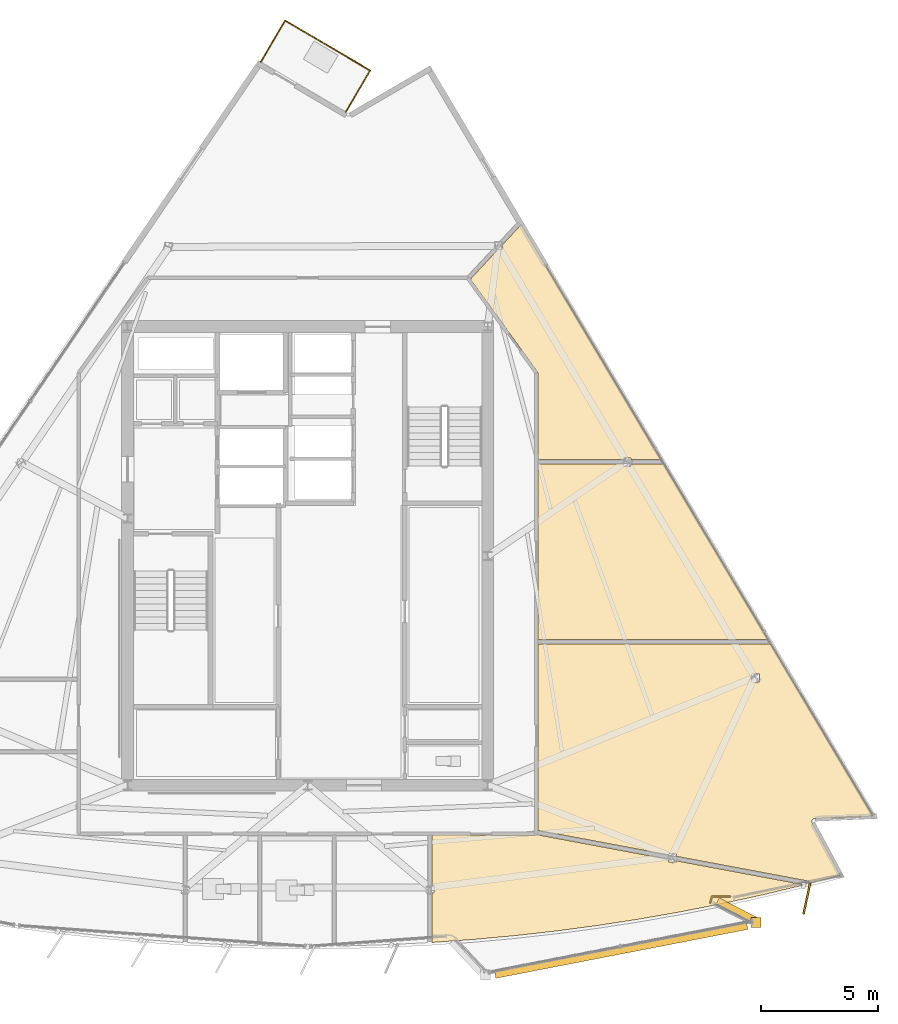
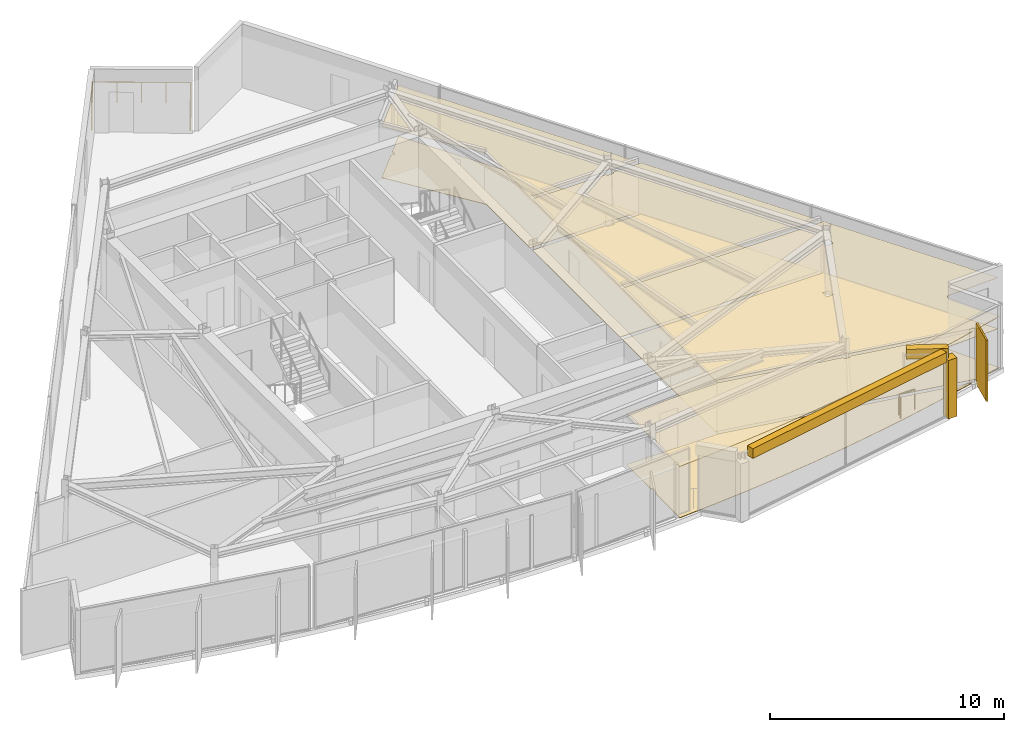
# One storey, part 12 of 13: 11 coverings, 4 railings, 1 shading device.
"""IFC4 building model written with IfcOpenShell, lengths in metres."""

from ifc_helpers import new_model, si_unit, direction, frame, origin, origin_2d, place, context, subcontext, project, spatial, polyline, rectangle, circle, outline, extrude, material, layer, layer_set, type_object, element, save


model = new_model("IFC4")

# Units and contexts
model_context = context("Model", 3, precision=1e-05, world=origin(), true_north=direction((0.0, 1.0)))
body_context = subcontext(model_context, "Body", "Model", "MODEL_VIEW")
ifc_project = project(units=[si_unit("LENGTHUNIT", "METRE"), si_unit("AREAUNIT", "SQUARE_METRE"), si_unit("VOLUMEUNIT", "CUBIC_METRE"), si_unit("PLANEANGLEUNIT", "RADIAN"), si_unit("MASSUNIT", "GRAM", prefix="KILO")], contexts=[model_context])

# Site, building, storey
site_placement = place(None, origin())
site = spatial("IfcSite", under=ifc_project, at=site_placement, CompositionType="ELEMENT")
building_placement = place(site_placement, origin())
building = spatial("IfcBuilding", under=site, at=building_placement, Name="Savorim Split Tower", CompositionType="ELEMENT")
storey_placement = place(building_placement, frame((0.0, 0.0, 265.199951171875)))
storey = spatial("IfcBuildingStorey", under=building, at=storey_placement, Name="L70", CompositionType="ELEMENT", Elevation=265.199951171875)

# Coverings
ifc_material_1 = material(Name="Mineral Fibre Acoustic Ceiling")
ifc_layer_1 = layer(ifc_material_1, 0.02490234375)
ifc_layer_set_1 = layer_set([ifc_layer_1], Name="COV-CEIL-25")
covering_type_1 = type_object("IfcCoveringType", Name="COV-CEIL-25", PredefinedType="CEILING", material=ifc_layer_set_1)
covering_1_placement = place(storey_placement, frame((0.0, 0.0, 2.670166015625)))
element("IfcCovering", 1, at=covering_1_placement, inside=storey, type_object=covering_type_1, Name="L70 Communal Lounge Acoustic Ceiling", PredefinedType="CEILING", context=body_context, shape_type="SweptSolid", body=[
    extrude(outline(polyline([(15.962646484375, -14.80908203125), (17.712890625, -14.464599609375), (19.45556640625, -14.084228515625), (21.18994140625, -13.668212890625), (21.22314453125, -13.65966796875), (15.759033203125, -12.634765625), (15.759033203125, -12.68212890625), (15.429931640625, -12.68212890625), (15.429931640625, -12.572998046875), (9.819580078125, -11.520751953125), (9.781494140625, -11.513427734375), (9.77783203125, -11.516357421875), (9.76611328125, -11.5234375), (9.753662109375, -11.529296875), (9.740478515625, -11.533935546875), (9.727294921875, -11.537353515625), (9.713623046875, -11.539306640625), (9.699951171875, -11.5400390625), (5.321533203125, -11.5400390625), (5.321533203125, -13.663330078125), (5.39111328125, -13.663330078125), (5.39111328125, -14.013427734375), (5.321533203125, -14.013427734375), (5.321533203125, -16.0751953125), (5.321533203125, -16.120361328125), (5.34765625, -16.118896484375), (7.126953125, -15.991455078125), (8.90283203125, -15.827392578125), (10.67529296875, -15.626953125), (12.443359375, -15.390380859375), (14.2060546875, -15.117919921875), (15.962646484375, -14.80908203125)])), origin(), (0.0, 0.0, 1.0), 0.02490234375),
])
covering_2_placement = place(storey_placement, frame((0.0, 0.0, 2.670166015625)))
element("IfcCovering", 2, at=covering_2_placement, inside=storey, type_object=covering_type_1, Name="L70 Co-Working Commons Acoustic Ceiling", PredefinedType="CEILING", context=body_context, shape_type="SweptSolid", body=[
    extrude(outline(polyline([(21.639404296875, -10.830810546875), (21.650634765625, -10.828857421875), (21.662109375, -10.82763671875), (24.16357421875, -10.72119140625), (19.790771484375, -3.367431640625), (9.840087890625, -3.367431640625), (9.840087890625, -11.331298828125), (15.429931640625, -12.379638671875), (15.429931640625, -12.332275390625), (15.759033203125, -12.332275390625), (15.759033203125, -12.44140625), (21.3408203125, -13.48828125), (21.43408203125, -13.505859375), (21.414794921875, -13.609619140625), (22.769287109375, -13.25537109375), (21.5615234375, -11.00439453125), (21.556640625, -10.993896484375), (21.552734375, -10.983154296875), (21.5498046875, -10.971923828125), (21.548095703125, -10.96044921875), (21.54736328125, -10.948974609375), (21.547607421875, -10.9375), (21.54931640625, -10.926025390625), (21.552001953125, -10.914794921875), (21.5556640625, -10.90380859375), (21.560302734375, -10.893310546875), (21.56591796875, -10.88330078125), (21.57275390625, -10.873779296875), (21.580078125, -10.864990234375), (21.58837890625, -10.857177734375), (21.59765625, -10.849853515625), (21.607421875, -10.84375), (21.61767578125, -10.83837890625), (21.62841796875, -10.833984375), (21.639404296875, -10.830810546875)]), holes=[polyline([(19.3154296875, -4.999267578125), (19.3154296875, -4.649169921875), (18.986572265625, -4.649169921875), (18.986572265625, -4.999267578125), (19.3154296875, -4.999267578125)])]), origin(), (0.0, 0.0, 1.0), 0.02490234375),
])
covering_3_placement = place(storey_placement, frame((0.0, 0.0, 2.670166015625)))
element("IfcCovering", 3, at=covering_3_placement, inside=storey, type_object=covering_type_1, Name="L70 Co-Working Commons Acoustic Ceiling", PredefinedType="CEILING", context=body_context, shape_type="SweptSolid", body=[
    extrude(outline(polyline([(13.4912109375, 4.242919921875), (13.4912109375, 4.32275390625), (9.840087890625, 4.32275390625), (9.840087890625, -3.177490234375), (19.677734375, -3.177490234375), (15.1982421875, 4.35595703125), (15.1982421875, 4.32275390625), (13.820068359375, 4.32275390625), (13.820068359375, 4.242919921875), (13.4912109375, 4.242919921875)])), origin(), (0.0, 0.0, 1.0), 0.02490234375),
])
covering_4_placement = place(storey_placement, frame((0.0, 0.0, 2.670166015625)))
element("IfcCovering", 4, at=covering_4_placement, inside=storey, type_object=covering_type_1, Name="L70 Quiet Study Room Acoustic Ceiling", PredefinedType="CEILING", context=body_context, shape_type="SweptSolid", body=[
    extrude(outline(polyline([(13.820068359375, 4.5927734375), (13.820068359375, 4.5126953125), (15.103271484375, 4.5126953125), (15.10498046875, 4.5126953125), (9.129638671875, 14.56201171875), (8.32470703125, 13.697265625), (8.32470703125, 13.48486328125), (8.126953125, 13.48486328125), (6.96533203125, 12.2373046875), (6.95458984375, 12.2255859375), (9.813232421875, 8.2822265625), (9.8212890625, 8.27001953125), (9.827880859375, 8.2568359375), (9.833251953125, 8.2431640625), (9.8369140625, 8.22900390625), (9.839111328125, 8.214599609375), (9.840087890625, 8.199951171875), (9.840087890625, 4.5126953125), (13.4912109375, 4.5126953125), (13.4912109375, 4.5927734375), (13.820068359375, 4.5927734375)])), origin(), (0.0, 0.0, 1.0), 0.02490234375),
])
ifc_material_2 = material(Name="Porcelain Stoneware Flooring", Category="masonry")
ifc_layer_2 = layer(ifc_material_2, 0.02001953125)
ifc_layer_set_2 = layer_set([ifc_layer_2], Name="COV-FLOR-20")
covering_type_2 = type_object("IfcCoveringType", Name="COV-FLOR-20", PredefinedType="FLOORING", material=ifc_layer_set_2)
covering_5_placement = place(storey_placement, origin())
element("IfcCovering", 5, at=covering_5_placement, inside=storey, type_object=covering_type_2, Name="L70 Communal Lounge Porcelain Flooring", PredefinedType="FLOORING", context=body_context, shape_type="SweptSolid", body=[
    extrude(outline(polyline([(15.962646484375, -14.80908203125), (17.712890625, -14.464599609375), (19.45556640625, -14.084228515625), (21.18994140625, -13.668212890625), (21.22314453125, -13.65966796875), (15.759033203125, -12.634765625), (15.759033203125, -12.68212890625), (15.429931640625, -12.68212890625), (15.429931640625, -12.572998046875), (9.819580078125, -11.520751953125), (9.781494140625, -11.513427734375), (9.77783203125, -11.516357421875), (9.76611328125, -11.5234375), (9.753662109375, -11.529296875), (9.740478515625, -11.533935546875), (9.727294921875, -11.537353515625), (9.713623046875, -11.539306640625), (9.699951171875, -11.5400390625), (5.321533203125, -11.5400390625), (5.321533203125, -13.663330078125), (5.39111328125, -13.663330078125), (5.39111328125, -14.013427734375), (5.321533203125, -14.013427734375), (5.321533203125, -16.0751953125), (5.321533203125, -16.120361328125), (5.34765625, -16.118896484375), (7.126953125, -15.991455078125), (8.90283203125, -15.827392578125), (10.67529296875, -15.626953125), (12.443359375, -15.390380859375), (14.2060546875, -15.117919921875), (15.962646484375, -14.80908203125)])), origin(), (0.0, 0.0, 1.0), 0.02001953125),
])
covering_6_placement = place(storey_placement, origin())
element("IfcCovering", 6, at=covering_6_placement, inside=storey, type_object=covering_type_2, Name="L70 Co-Working Commons Porcelain Flooring", PredefinedType="FLOORING", context=body_context, shape_type="SweptSolid", body=[
    extrude(outline(polyline([(21.639404296875, -10.830810546875), (21.650634765625, -10.828857421875), (21.662109375, -10.82763671875), (24.16357421875, -10.72119140625), (19.790771484375, -3.367431640625), (9.840087890625, -3.367431640625), (9.840087890625, -11.331298828125), (15.429931640625, -12.379638671875), (15.429931640625, -12.332275390625), (15.759033203125, -12.332275390625), (15.759033203125, -12.44140625), (21.3408203125, -13.48828125), (21.43408203125, -13.505859375), (21.414794921875, -13.609619140625), (22.769287109375, -13.25537109375), (21.5615234375, -11.00439453125), (21.556640625, -10.993896484375), (21.552734375, -10.983154296875), (21.5498046875, -10.971923828125), (21.548095703125, -10.96044921875), (21.54736328125, -10.948974609375), (21.547607421875, -10.9375), (21.54931640625, -10.926025390625), (21.552001953125, -10.914794921875), (21.5556640625, -10.90380859375), (21.560302734375, -10.893310546875), (21.56591796875, -10.88330078125), (21.57275390625, -10.873779296875), (21.580078125, -10.864990234375), (21.58837890625, -10.857177734375), (21.59765625, -10.849853515625), (21.607421875, -10.84375), (21.61767578125, -10.83837890625), (21.62841796875, -10.833984375), (21.639404296875, -10.830810546875)]), holes=[polyline([(19.3154296875, -4.999267578125), (19.3154296875, -4.649169921875), (18.986572265625, -4.649169921875), (18.986572265625, -4.999267578125), (19.3154296875, -4.999267578125)])]), origin(), (0.0, 0.0, 1.0), 0.02001953125),
])
covering_7_placement = place(storey_placement, origin())
element("IfcCovering", 7, at=covering_7_placement, inside=storey, type_object=covering_type_2, Name="L70 Co-Working Commons Porcelain Flooring", PredefinedType="FLOORING", context=body_context, shape_type="SweptSolid", body=[
    extrude(outline(polyline([(13.4912109375, 4.242919921875), (13.4912109375, 4.32275390625), (9.840087890625, 4.32275390625), (9.840087890625, -3.177490234375), (19.677734375, -3.177490234375), (15.1982421875, 4.35595703125), (15.1982421875, 4.32275390625), (13.820068359375, 4.32275390625), (13.820068359375, 4.242919921875), (13.4912109375, 4.242919921875)])), origin(), (0.0, 0.0, 1.0), 0.02001953125),
])
covering_8_placement = place(storey_placement, origin())
element("IfcCovering", 8, at=covering_8_placement, inside=storey, type_object=covering_type_2, Name="L70 Quiet Study Room Porcelain Flooring", PredefinedType="FLOORING", context=body_context, shape_type="SweptSolid", body=[
    extrude(outline(polyline([(13.820068359375, 4.5927734375), (13.820068359375, 4.5126953125), (15.103271484375, 4.5126953125), (15.10498046875, 4.5126953125), (9.129638671875, 14.56201171875), (8.32470703125, 13.697265625), (8.32470703125, 13.48486328125), (8.126953125, 13.48486328125), (6.96533203125, 12.2373046875), (6.95458984375, 12.2255859375), (9.813232421875, 8.2822265625), (9.8212890625, 8.27001953125), (9.827880859375, 8.2568359375), (9.833251953125, 8.2431640625), (9.8369140625, 8.22900390625), (9.839111328125, 8.214599609375), (9.840087890625, 8.199951171875), (9.840087890625, 4.5126953125), (13.4912109375, 4.5126953125), (13.4912109375, 4.5927734375), (13.820068359375, 4.5927734375)])), origin(), (0.0, 0.0, 1.0), 0.02001953125),
])
ifc_material_3 = material(Name="White Porcelain Architectural Cladding")
ifc_layer_3 = layer(ifc_material_3, 0.139892578125)
ifc_layer_set_3 = layer_set([ifc_layer_3], Name="COV-FRM-WHITE")
covering_type_3 = type_object("IfcCoveringType", Name="COV-FRM-WHITE", PredefinedType="CLADDING", material=ifc_layer_set_3)
covering_9_placement = place(storey_placement, frame((0.0, 0.0, 3.080078125)))
element("IfcCovering", 9, at=covering_9_placement, inside=storey, type_object=covering_type_3, Name="L70 Cantilevered Lounge White Upper Cornice Band F", PredefinedType="CLADDING", context=body_context, shape_type="SweptSolid", body=[
    extrude(outline(polyline([(8.04248046875, -17.656982421875), (18.817138671875, -15.56591796875), (18.75244140625, -15.232177734375), (7.9775390625, -17.3232421875), (8.04248046875, -17.656982421875)])), origin(), (0.0, 0.0, 1.0), 0.510009765625),
])
covering_10_placement = place(storey_placement, frame((0.0, 0.0, 3.080078125)))
element("IfcCovering", 10, at=covering_10_placement, inside=storey, type_object=covering_type_3, Name="L70 Cantilevered Lounge White Upper Cornice Band E", PredefinedType="CLADDING", context=body_context, shape_type="SweptSolid", body=[
    extrude(outline(polyline([(19.197021484375, -15.04150390625), (17.594970703125, -14.220947265625), (17.43994140625, -14.523681640625), (19.0419921875, -15.343994140625), (19.197021484375, -15.04150390625)])), origin(), (0.0, 0.0, 1.0), 0.510009765625),
])
covering_11_placement = place(storey_placement, frame((0.0, 0.0, 0.010009765625)))
element("IfcCovering", 11, at=covering_11_placement, inside=storey, type_object=covering_type_3, Name="L70 Cantilevered Lounge White Frame Corner Post 2", PredefinedType="CLADDING", context=body_context, shape_type="SweptSolid", body=[
    extrude(outline(polyline([(18.9580078125, -15.48388671875), (19.3779296875, -15.48388671875), (19.3779296875, -15.063720703125), (18.9580078125, -15.063720703125), (18.9580078125, -15.48388671875)])), origin(), (0.0, 0.0, 1.0), 3.050048828125),
])

# Railings
ifc_material_4 = material(Name="Galvanised Painted Steel Balustrade", Category="steel")
railing_type = type_object("IfcRailingType", Name="RLG-BAL-1100", PredefinedType="BALUSTRADE", material=ifc_material_4)
railing_1_placement = place(storey_placement, frame((17.206787109375, -14.432861328125, 0.0)))
element("IfcRailing", 12, at=railing_1_placement, inside=storey, type_object=railing_type, Name="L70 Cantilevered Lounge East Edge Closure Guard", PredefinedType="BALUSTRADE", context=body_context, shape_type="SweptSolid", body=[
    extrude(circle(Radius=0.02392578125, at=origin_2d()), frame((0.0, 0.0, 1.076171875), z_axis=(0.260219043811, 0.965549609931, 0.0), x_axis=(-0.965549609931, 0.260219043811, 0.0)), (0.0, 0.0, 1.0), 0.28515625),
    extrude(circle(Radius=0.02392578125, at=origin_2d()), frame((0.07421875, 0.275390625, 1.076171875), z_axis=(1.0, 0.0, 0.0), x_axis=(0.0, 1.0, 0.0)), (0.0, 0.0, 1.0), 0.780029296875),
    extrude(circle(Radius=0.02099609375, at=origin_2d()), origin(), (0.0, 0.0, 1.0), 1.052001953125),
    extrude(circle(Radius=0.02099609375, at=origin_2d()), frame((0.07421875, 0.275390625, 0.0)), (0.0, 0.0, 1.0), 1.052001953125),
    extrude(circle(Radius=0.02099609375, at=origin_2d()), frame((0.854248046875, 0.275390625, 0.0)), (0.0, 0.0, 1.0), 1.052001953125),
])
railing_2_placement = place(storey_placement, frame((-2.004150390625, 21.51611328125, 0.0)))
element("IfcRailing", 13, at=railing_2_placement, inside=storey, type_object=railing_type, Name="L70 Tree Balcony Guardrail N-1", PredefinedType="BALUSTRADE", context=body_context, shape_type="SweptSolid", body=[
    extrude(circle(Radius=0.02392578125, at=origin_2d()), frame((0.0, 0.0, 1.076171875), z_axis=(0.506733850669, 0.862102548764, 0.0), x_axis=(-0.862102548764, 0.506733850669, 0.0)), (0.0, 0.0, 1.0), 2.050048828125),
    extrude(circle(Radius=0.02099609375, at=origin_2d()), origin(), (0.0, 0.0, 1.0), 1.052001953125),
    extrude(circle(Radius=0.02099609375, at=origin_2d()), frame((0.51953125, 0.8837890625, 0.0)), (0.0, 0.0, 1.0), 1.052001953125),
    extrude(circle(Radius=0.02099609375, at=origin_2d()), frame((1.038818359375, 1.767333984375, 0.0)), (0.0, 0.0, 1.0), 1.052001953125),
])
railing_3_placement = place(storey_placement, frame((-0.96533203125, 23.283447265625, 0.0)))
element("IfcRailing", 14, at=railing_3_placement, inside=storey, type_object=railing_type, Name="L70 Tree Balcony Guardrail N-2", PredefinedType="BALUSTRADE", context=body_context, shape_type="SweptSolid", body=[
    extrude(circle(Radius=0.02392578125, at=origin_2d()), frame((0.0, 0.0, 1.076171875), z_axis=(0.862129004769, -0.506688838575, 0.0), x_axis=(0.506688838575, 0.862129004769, 0.0)), (0.0, 0.0, 1.0), 4.219482421875),
    extrude(circle(Radius=0.02099609375, at=origin_2d()), origin(), (0.0, 0.0, 1.0), 1.052001953125),
    extrude(circle(Radius=0.02099609375, at=origin_2d()), frame((0.909423828125, -0.534423828125, 0.0)), (0.0, 0.0, 1.0), 1.052001953125),
    extrude(circle(Radius=0.02099609375, at=origin_2d()), frame((1.81884765625, -1.06884765625, 0.0)), (0.0, 0.0, 1.0), 1.052001953125),
    extrude(circle(Radius=0.02099609375, at=origin_2d()), frame((2.728271484375, -1.603515625, 0.0)), (0.0, 0.0, 1.0), 1.052001953125),
    extrude(circle(Radius=0.02099609375, at=origin_2d()), frame((3.6376953125, -2.137939453125, 0.0)), (0.0, 0.0, 1.0), 1.052001953125),
])
railing_4_placement = place(storey_placement, frame((2.67236328125, 21.1455078125, 0.0)))
element("IfcRailing", 15, at=railing_4_placement, inside=storey, type_object=railing_type, Name="L70 Tree Balcony Guardrail N-3", PredefinedType="BALUSTRADE", context=body_context, shape_type="SweptSolid", body=[
    extrude(circle(Radius=0.02392578125, at=origin_2d()), frame((0.0, 0.0, 1.076171875), z_axis=(-0.506593312838, -0.862185139856, 0.0), x_axis=(0.862185139856, -0.506593312838, 0.0)), (0.0, 0.0, 1.0), 2.050048828125),
    extrude(circle(Radius=0.02099609375, at=origin_2d()), origin(), (0.0, 0.0, 1.0), 1.052001953125),
    extrude(circle(Radius=0.02099609375, at=origin_2d()), frame((-0.519287109375, -0.8837890625, 0.0)), (0.0, 0.0, 1.0), 1.052001953125),
    extrude(circle(Radius=0.02099609375, at=origin_2d()), frame((-1.03857421875, -1.767578125, 0.0)), (0.0, 0.0, 1.0), 1.052001953125),
])

# Shading device
ifc_material_5 = material(Name="Terracotta Ceramic-Coated Aluminium Fin", Category="masonry")
shading_device_type = type_object("IfcShadingDeviceType", Name="SHD-FIN-1360", PredefinedType="USERDEFINED", material=ifc_material_5)
shading_device_placement = place(storey_placement, frame((21.3349609375, -14.246337890625, -0.19970703125), z_axis=(0.0, 0.0, 1.0), x_axis=(-0.206721626106, -0.978399800337, 0.0)))
element("IfcShadingDevice", 16, at=shading_device_placement, inside=storey, type_object=shading_device_type, Name="L70 Sawtooth Shading Fin 13", ObjectType="FIN", PredefinedType="USERDEFINED", context=body_context, shape_type="SweptSolid", body=[
    extrude(rectangle(XDim=1.360107421875, YDim=0.080078125, at=origin_2d()), origin(), (0.0, 0.0, 1.0), 3.199951171875),
])

save(model, "model.ifc")
